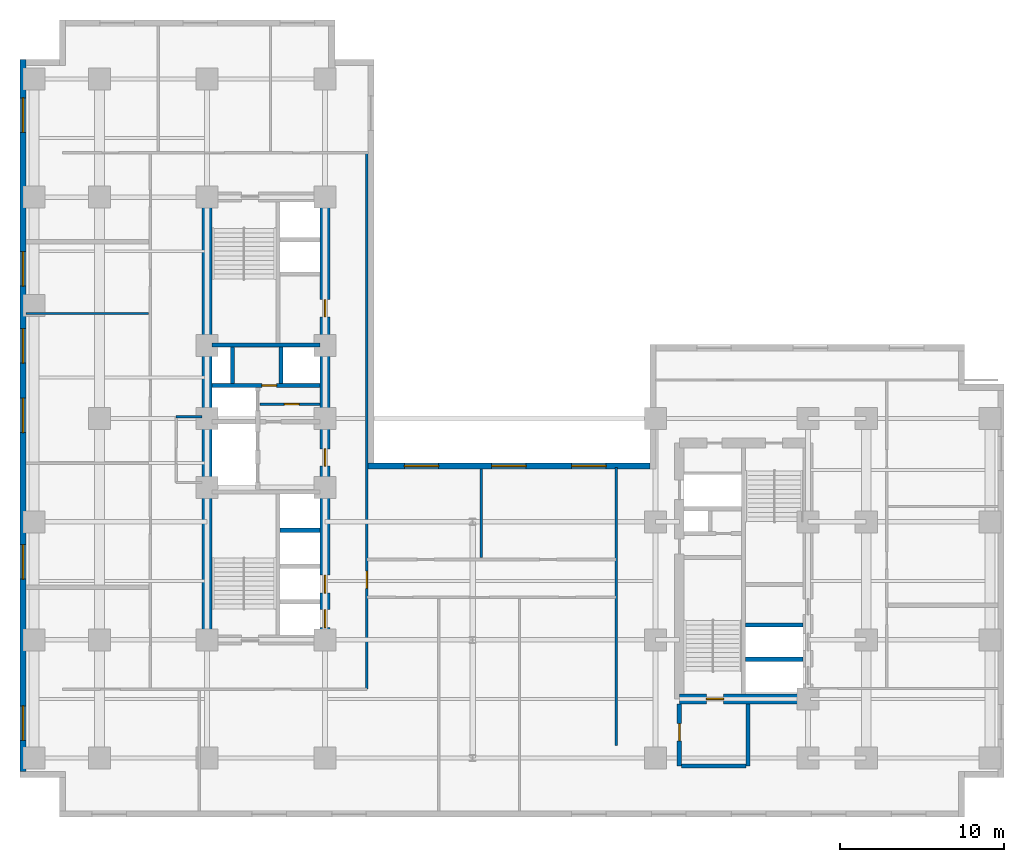
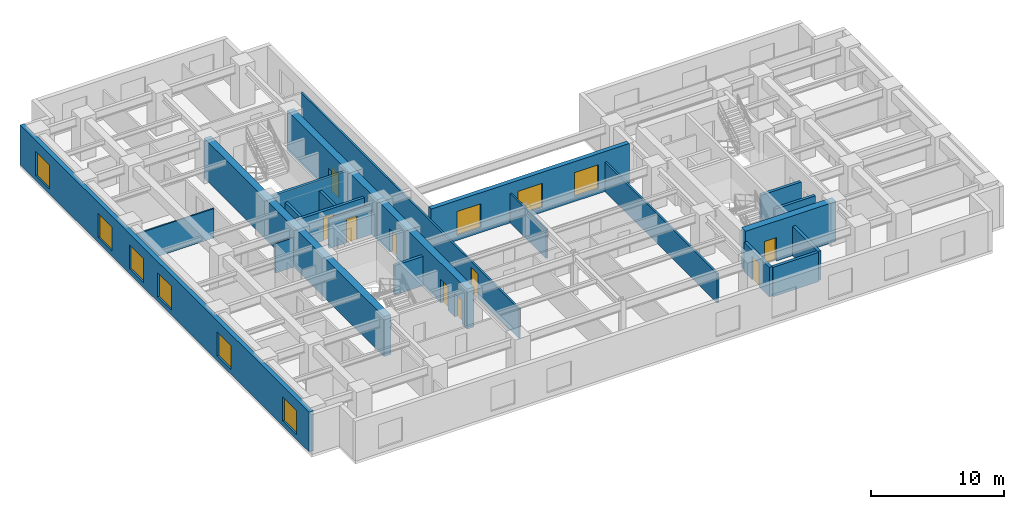
# One storey, part 4 of 9: 22 walls, 9 doors, 9 windows, 18 openings.
"""IFC4 building model written with IfcOpenShell, lengths in metres."""

import ifcopenshell
import ifcopenshell.guid

model = None  # the IFC model being written
_history = None  # IfcOwnerHistory: only IFC2X3 demands one
_inside = {}  # id of a spatial element -> (the spatial element, [elements in it])
_under = {}  # id of a project, library or spatial element -> (it, [spatial elements below it])
_declared = {}  # id of a project -> (the project, [libraries it declares])
_typed = {}  # id of a type object -> (the type object, [elements of that type])
_made_of = {}  # id of a material, layer set ... -> (it, [elements and type objects made of it])


def new_model(schema):
    """Start an empty IFC model of exactly this schema.

    Asked for "IFC4X3", IfcOpenShell would pick the latest addendum, in which some entities
    have other attributes; the version numbers below select the first issue.
    IFC2X3 requires an IfcOwnerHistory on every rooted entity: one is made here for all.
    """
    global model, _history
    if schema == "IFC4X3":
        model = ifcopenshell.file(schema_version=(4, 3, 0, 0))
    else:
        model = ifcopenshell.file(schema=schema)
    _inside.clear()
    _under.clear()
    _declared.clear()
    _typed.clear()
    _made_of.clear()
    _history = None
    if model.schema == "IFC2X3":
        org = make("IfcOrganization", Name="unknown")
        user = make(
            "IfcPersonAndOrganization",
            ThePerson=make("IfcPerson", FamilyName="unknown"),
            TheOrganization=org,
        )
        app = make(
            "IfcApplication",
            ApplicationDeveloper=org,
            Version="unknown",
            ApplicationFullName="unknown",
            ApplicationIdentifier="unknown",
        )
        _history = make(
            "IfcOwnerHistory",
            OwningUser=user,
            OwningApplication=app,
            ChangeAction="ADDED",
            CreationDate=0,
        )
    return model


def make(cls, **values):
    """One entity of the class cls with the attributes given. An attribute that is None is left unset."""
    return model.create_entity(
        cls, **{name: value for name, value in values.items() if value is not None}
    )


def entity(cls, *values):
    """Any entity or typed value of the class cls, its attributes in the order of the schema. None: left unset."""
    e = model.create_entity(cls)
    for i, value in enumerate(values):
        if value is not None:
            e[i] = value
    return e


def rooted(cls, **values):
    """An entity with a GlobalId (a new one), such as an element, a storey or a relation."""
    return make(cls, GlobalId=ifcopenshell.guid.new(), OwnerHistory=_history, **values)


def si_unit(unit_type, name, prefix=None):
    """IfcSIUnit, for example si_unit("LENGTHUNIT", "METRE", prefix="MILLI")."""
    return make("IfcSIUnit", UnitType=unit_type, Prefix=prefix, Name=name)


def converted_unit(unit_type, name, factor, base, dimensions=None, offset=None):
    """IfcConversionBasedUnit, such as the inch: factor (a typed value) times the base unit."""
    return make(
        "IfcConversionBasedUnit"
        if offset is None
        else "IfcConversionBasedUnitWithOffset",
        ConversionOffset=offset,
        Dimensions=None
        if dimensions is None
        else entity("IfcDimensionalExponents", *dimensions),
        UnitType=unit_type,
        Name=name,
        ConversionFactor=make(
            "IfcMeasureWithUnit", ValueComponent=factor, UnitComponent=base
        ),
    )


def assignment(units):
    """IfcUnitAssignment: the units of a project."""
    return None if units is None else make("IfcUnitAssignment", Units=units)


def point(xyz):
    """IfcCartesianPoint."""
    return None if xyz is None else make("IfcCartesianPoint", Coordinates=xyz)


def direction(xyz):
    """IfcDirection."""
    return None if xyz is None else make("IfcDirection", DirectionRatios=xyz)


def frame(location, z_axis=None, x_axis=None):
    """IfcAxis2Placement3D, a coordinate frame: its origin and axes. An axis left out is left unset."""
    return make(
        "IfcAxis2Placement3D",
        Location=point(location),
        Axis=direction(z_axis),
        RefDirection=direction(x_axis),
    )


def frame_2d(location, x_axis=None):
    """IfcAxis2Placement2D, a coordinate frame in the plane: its origin and x axis."""
    return make(
        "IfcAxis2Placement2D", Location=point(location), RefDirection=direction(x_axis)
    )


def origin_with_axes():
    """The frame at (0, 0, 0) with the z axis (0, 0, 1) and the x axis (1, 0, 0) written out."""
    return frame((0.0, 0.0, 0.0), z_axis=(0.0, 0.0, 1.0), x_axis=(1.0, 0.0, 0.0))


def origin_2d_with_axis():
    """The frame at (0, 0) in the plane with the x axis (1, 0) written out."""
    return frame_2d((0.0, 0.0), x_axis=(1.0, 0.0))


def place(relative_to, where):
    """IfcLocalPlacement: puts the frame where relative to a parent placement (None: the world)."""
    return make(
        "IfcLocalPlacement", PlacementRelTo=relative_to, RelativePlacement=where
    )


def context(
    kind, dimensions, precision=None, world=None, true_north=None, identifier=None
):
    """IfcGeometricRepresentationContext, for example the 3D "Model" context."""
    return make(
        "IfcGeometricRepresentationContext",
        ContextIdentifier=identifier,
        ContextType=kind,
        CoordinateSpaceDimension=dimensions,
        Precision=precision,
        WorldCoordinateSystem=world,
        TrueNorth=true_north,
    )


def subcontext(parent, identifier, kind, view, scale=None):
    """IfcGeometricRepresentationSubContext, for example "Body" below "Model"."""
    return make(
        "IfcGeometricRepresentationSubContext",
        ContextIdentifier=identifier,
        ContextType=kind,
        ParentContext=parent,
        TargetScale=scale,
        TargetView=view,
    )


def project(units=None, contexts=None):
    """IfcProject with its units and contexts."""
    return rooted(
        "IfcProject",
        Name="project",
        RepresentationContexts=contexts,
        UnitsInContext=assignment(units),
    )


def spatial(cls, under=None, at=None, **own):
    """A site, building, storey or space (cls), placed at a placement, below another one or the project."""
    s = rooted(cls, ObjectPlacement=at, **own)
    if under is not None:
        _under.setdefault(under.id(), (under, []))[1].append(s)
    return s


def polyline(points):
    """IfcPolyline through the points."""
    return make("IfcPolyline", Points=[point(p) for p in points])


def profile(cls, at=None, kind="AREA", **sizes):
    """A parametric profile (cls). Its sizes go by their IFC names, for example OverallWidth=200.0."""
    return make(cls, ProfileType=kind, Position=at, **sizes)


def rectangle(**sizes):
    """IfcRectangleProfileDef."""
    return profile("IfcRectangleProfileDef", **sizes)


def outline(outer, holes=None, kind="AREA"):
    """IfcArbitraryClosedProfileDef: a profile drawn as a closed curve; with holes, ...WithVoids."""
    if holes is None:
        return make("IfcArbitraryClosedProfileDef", ProfileType=kind, OuterCurve=outer)
    return make(
        "IfcArbitraryProfileDefWithVoids",
        ProfileType=kind,
        OuterCurve=outer,
        InnerCurves=holes,
    )


def extrude(swept, where, along, depth):
    """IfcExtrudedAreaSolid: the profile swept, set in the frame where, extruded along a direction by depth."""
    return make(
        "IfcExtrudedAreaSolid",
        SweptArea=swept,
        Position=where,
        ExtrudedDirection=direction(along),
        Depth=depth,
    )


def shape(context_of_items, identifier, shape_type, items):
    """IfcShapeRepresentation: the items that make up one representation, for example the "Body"."""
    return make(
        "IfcShapeRepresentation",
        ContextOfItems=context_of_items,
        RepresentationIdentifier=identifier,
        RepresentationType=shape_type,
        Items=items,
    )


def material(Name=None, Category=None):
    """IfcMaterial."""
    return make("IfcMaterial", Name=Name, Category=Category)


def layer(
    of_material, thickness, ventilated=None, Name=None, Category=None, Priority=None
):
    """IfcMaterialLayer: one layer of a wall or slab, of a material (None: an air gap)."""
    return make(
        "IfcMaterialLayer",
        Material=of_material,
        LayerThickness=thickness,
        IsVentilated=ventilated,
        Name=Name,
        Category=Category,
        Priority=Priority,
    )


def layer_set(layers, Name=None):
    """IfcMaterialLayerSet."""
    return make("IfcMaterialLayerSet", MaterialLayers=layers, LayerSetName=Name)


def made_of(thing, what):
    """Note that an element or type object is made of a material, layer set ...; save() writes the relation."""
    if what is not None:
        _made_of.setdefault(what.id(), (what, []))[1].append(thing)
    return thing


def type_object(cls, material=None, **own):
    """A type object (cls), such as IfcWallType, which elements share."""
    return made_of(rooted(cls, **own), material)


def element(
    cls,
    number,
    at=None,
    inside=None,
    cuts=None,
    type_object=None,
    material=None,
    context=None,
    identifier="Body",
    shape_type=None,
    held_by="IfcProductDefinitionShape",
    body=None,
    shapes=None,
    **own,
):
    """One element of the class cls, such as IfcWall. Its Tag is "e" and its number.

    at: its placement. inside: the storey or other place that contains it. cuts: it is an
    opening in that element (IfcRelVoidsElement). A single representation is given by context,
    identifier, shape_type and body (its items); several are given by shapes. held_by: the class
    of the entity that holds the representations. save() writes the other relations.
    """
    e = rooted(cls, Tag="e%d" % number, ObjectPlacement=at, **own)
    if body is not None:
        shapes = [shape(context, identifier, shape_type, body)]
    if shapes is not None:
        e.Representation = make(held_by, Representations=shapes)
    if inside is not None:
        _inside.setdefault(inside.id(), (inside, []))[1].append(e)
    if cuts is not None:
        rooted(
            "IfcRelVoidsElement", RelatingBuildingElement=cuts, RelatedOpeningElement=e
        )
    if type_object is not None:
        _typed.setdefault(type_object.id(), (type_object, []))[1].append(e)
    return made_of(e, material)


def fill(opening, filler):
    """IfcRelFillsElement: the door or window that sits in an opening."""
    return rooted(
        "IfcRelFillsElement",
        RelatingOpeningElement=opening,
        RelatedBuildingElement=filler,
    )


def aggregate(whole, parts):
    """IfcRelAggregates: a whole, such as a stair, and the parts it consists of."""
    return rooted("IfcRelAggregates", RelatingObject=whole, RelatedObjects=parts)


def save(model, path):
    """Write the relations noted so far, then the file.

    IfcRelAggregates (storeys below a building ...), IfcRelContainedInSpatialStructure (elements
    in a storey), IfcRelDefinesByType, IfcRelAssociatesMaterial and IfcRelDeclares: one each for
    every whole, place, type object, material and project.
    """
    for whole, parts in _under.values():
        aggregate(whole, parts)
    for where, things in _inside.values():
        rooted(
            "IfcRelContainedInSpatialStructure",
            RelatedElements=things,
            RelatingStructure=where,
        )
    for kind, things in _typed.values():
        rooted("IfcRelDefinesByType", RelatedObjects=things, RelatingType=kind)
    for what, things in _made_of.values():
        rooted("IfcRelAssociatesMaterial", RelatedObjects=things, RelatingMaterial=what)
    for by, libraries in _declared.values():
        rooted("IfcRelDeclares", RelatingContext=by, RelatedDefinitions=libraries)
    model.write(path)


model = new_model("IFC4")

# Units and contexts
model_context = context("Model", 3, precision=1e-05, world=origin_with_axes(), true_north=direction((0.0, 1.0)))
body_context = subcontext(model_context, "Body", "Model", "MODEL_VIEW")
ifc_project = project(units=[si_unit("LENGTHUNIT", "METRE"), si_unit("AREAUNIT", "SQUARE_METRE"), si_unit("VOLUMEUNIT", "CUBIC_METRE"), converted_unit("PLANEANGLEUNIT", "DEGREE", entity("IfcPlaneAngleMeasure", 0.017453292519943295), si_unit("PLANEANGLEUNIT", "RADIAN"), dimensions=[0, 0, 0, 0, 0, 0, 0]), si_unit("MASSUNIT", "GRAM", prefix="KILO"), si_unit("THERMODYNAMICTEMPERATUREUNIT", "KELVIN")], contexts=[model_context])

# Site, building, storey
site_placement = place(None, origin_with_axes())
site = spatial("IfcSite", under=ifc_project, at=site_placement, CompositionType="ELEMENT")
building_placement = place(site_placement, origin_with_axes())
building = spatial("IfcBuilding", under=site, at=building_placement, Name="Varnlund Millrace Tower", CompositionType="ELEMENT")
storey_placement = place(building_placement, frame((0.0, 0.0, 56.1), z_axis=(0.0, 0.0, 1.0), x_axis=(1.0, 0.0, 0.0)))
storey = spatial("IfcBuildingStorey", under=building, at=storey_placement, Name="L13", CompositionType="ELEMENT", Elevation=56.1)

# Wall
ifc_material_1 = material(Name="Concrete C80/95", Category="concrete")
ifc_layer_1 = layer(ifc_material_1, 0.6, Name="Concrete C80/95")
ifc_layer_set_1 = layer_set([ifc_layer_1], Name="Concrete C80/95")
wall_type_1 = type_object("IfcWallType", Name="Type-CoreWall-Shear-600-C80", PredefinedType="SHEAR", material=ifc_layer_set_1)
wall_1_placement = place(storey_placement, frame((11.4, 10.8, 0.0), z_axis=(0.0, 0.0, 1.0), x_axis=(0.0, 1.0, 0.0)))
element("IfcWall", 1, at=wall_1_placement, inside=storey, type_object=wall_type_1, Name="Type-CoreWall-Shear-600-C80", PredefinedType="SHEAR", context=body_context, shape_type="SweptSolid", body=[
    extrude(outline(polyline([(0.0, -0.3), (27.0, -0.3), (27.0, 0.3), (0.0, 0.3), (0.0, -0.3)])), origin_with_axes(), (0.0, 0.0, 1.0), 3.66),
])

# Wall, openings, doors
wall_2_placement = place(storey_placement, frame((18.6, 10.8, 0.0), z_axis=(0.0, 0.0, 1.0), x_axis=(0.0, 1.0, 0.0)))
wall_2 = element("IfcWall", 2, at=wall_2_placement, inside=storey, type_object=wall_type_1, Name="Type-CoreWall-Shear-600-C80", PredefinedType="SHEAR", context=body_context, shape_type="SweptSolid", body=[
    extrude(outline(polyline([(0.0, -0.3), (13.5, -0.3), (13.5, 0.3), (0.0, 0.3), (0.0, -0.3)])), origin_with_axes(), (0.0, 0.0, 1.0), 3.66),
])
opening_1_placement = place(wall_2_placement, frame((1.3, 0.0, 0.0), z_axis=(0.0, 0.0, 1.0), x_axis=(1.0, 0.0, 0.0)))
opening_1 = element("IfcOpeningElement", 3, at=opening_1_placement, cuts=wall_2, Name="Opening L13:LD-ELV-L1", PredefinedType="OPENING", context=body_context, shape_type="SweptSolid", body=[
    extrude(rectangle(XDim=1.1, YDim=0.62, at=origin_2d_with_axis()), origin_with_axes(), (0.0, 0.0, 1.0), 2.15),
])
opening_2_placement = place(wall_2_placement, frame((3.4, 0.0, 0.0), z_axis=(0.0, 0.0, 1.0), x_axis=(1.0, 0.0, 0.0)))
opening_2 = element("IfcOpeningElement", 4, at=opening_2_placement, cuts=wall_2, Name="Opening L13:LD-ELV-L2", PredefinedType="OPENING", context=body_context, shape_type="SweptSolid", body=[
    extrude(rectangle(XDim=1.1, YDim=0.62, at=origin_2d_with_axis()), origin_with_axes(), (0.0, 0.0, 1.0), 2.15),
])
opening_3_placement = place(wall_2_placement, frame((11.125, 0.0, 0.0), z_axis=(0.0, 0.0, 1.0), x_axis=(1.0, 0.0, 0.0)))
opening_3 = element("IfcOpeningElement", 5, at=opening_3_placement, cuts=wall_2, Name="Opening L13:DR-FFLOB-A", PredefinedType="OPENING", context=body_context, shape_type="SweptSolid", body=[
    extrude(rectangle(XDim=1.05, YDim=0.62, at=origin_2d_with_axis()), origin_with_axes(), (0.0, 0.0, 1.0), 2.15),
])
ifc_material_2 = material(Name="Smoke-barrier hollow steel fire door", Category="steel")
door_type_1 = type_object("IfcDoorType", Name="Type-FireDoor-Lobby-1050X2150", OperationType="NOTDEFINED", PredefinedType="DOOR", material=ifc_material_2)
door_1_placement = place(wall_2_placement, frame((11.125, 0.0, 0.0), z_axis=(0.0, 0.0, 1.0), x_axis=(1.0, 0.0, 0.0)))
door_1 = element("IfcDoor", 6, at=door_1_placement, inside=storey, type_object=door_type_1, Name="Type-FireDoor-Lobby-1050X2150", OperationType="SINGLE_SWING_LEFT", OverallHeight=2.15, OverallWidth=1.05, PredefinedType="DOOR", context=body_context, shape_type="SweptSolid", body=[
    extrude(rectangle(XDim=1.05, YDim=0.09, at=origin_2d_with_axis()), origin_with_axes(), (0.0, 0.0, 1.0), 2.15),
])
fill(opening_3, door_1)
ifc_material_3 = material(Name="Stainless and architectural bronze sliding landing door")
door_type_2 = type_object("IfcDoorType", Name="Type-LiftLandingDoor-1100X2150", OperationType="NOTDEFINED", PredefinedType="DOOR", material=ifc_material_3)
door_2_placement = place(wall_2_placement, frame((1.3, 0.0, 0.0), z_axis=(0.0, 0.0, 1.0), x_axis=(1.0, 0.0, 0.0)))
door_2 = element("IfcDoor", 7, at=door_2_placement, inside=storey, type_object=door_type_2, Name="Type-LiftLandingDoor-1100X2150", OperationType="SLIDING_TO_LEFT", OverallHeight=2.15, OverallWidth=1.1, PredefinedType="DOOR", context=body_context, shape_type="SweptSolid", body=[
    extrude(rectangle(XDim=1.1, YDim=0.09, at=origin_2d_with_axis()), origin_with_axes(), (0.0, 0.0, 1.0), 2.15),
])
fill(opening_1, door_2)
door_3_placement = place(wall_2_placement, frame((3.4, 0.0, 0.0), z_axis=(0.0, 0.0, 1.0), x_axis=(1.0, 0.0, 0.0)))
door_3 = element("IfcDoor", 8, at=door_3_placement, inside=storey, type_object=door_type_2, Name="Type-LiftLandingDoor-1100X2150", OperationType="SLIDING_TO_RIGHT", OverallHeight=2.15, OverallWidth=1.1, PredefinedType="DOOR", context=body_context, shape_type="SweptSolid", body=[
    extrude(rectangle(XDim=1.1, YDim=0.09, at=origin_2d_with_axis()), origin_with_axes(), (0.0, 0.0, 1.0), 2.15),
])
fill(opening_2, door_3)

# Wall, opening, door
wall_3_placement = place(storey_placement, frame((18.6, 24.3, 0.0), z_axis=(0.0, 0.0, 1.0), x_axis=(0.0, 1.0, 0.0)))
wall_3 = element("IfcWall", 9, at=wall_3_placement, inside=storey, type_object=wall_type_1, Name="Type-CoreWall-Shear-600-C80", PredefinedType="SHEAR", context=body_context, shape_type="SweptSolid", body=[
    extrude(outline(polyline([(0.0, -0.3), (13.5, -0.3), (13.5, 0.3), (0.0, 0.3), (0.0, -0.3)])), origin_with_axes(), (0.0, 0.0, 1.0), 3.66),
])
opening_4_placement = place(wall_3_placement, frame((6.725, 0.0, 0.0), z_axis=(0.0, 0.0, 1.0), x_axis=(1.0, 0.0, 0.0)))
opening_4 = element("IfcOpeningElement", 10, at=opening_4_placement, cuts=wall_3, Name="Opening L13:DR-CA-WC1", PredefinedType="OPENING", context=body_context, shape_type="SweptSolid", body=[
    extrude(rectangle(XDim=1.05, YDim=0.62, at=origin_2d_with_axis()), origin_with_axes(), (0.0, 0.0, 1.0), 2.15),
])
door_4_placement = place(wall_3_placement, frame((6.725, 0.0, 0.0), z_axis=(0.0, 0.0, 1.0), x_axis=(1.0, 0.0, 0.0)))
door_4 = element("IfcDoor", 11, at=door_4_placement, inside=storey, type_object=door_type_1, Name="Type-FireDoor-Lobby-1050X2150", OperationType="SINGLE_SWING_LEFT", OverallHeight=2.15, OverallWidth=1.05, PredefinedType="DOOR", context=body_context, shape_type="SweptSolid", body=[
    extrude(rectangle(XDim=1.05, YDim=0.09, at=origin_2d_with_axis()), origin_with_axes(), (0.0, 0.0, 1.0), 2.15),
])
fill(opening_4, door_4)

wall_4_placement = place(storey_placement, frame((40.2, 7.2, 0.0), z_axis=(0.0, 0.0, 1.0), x_axis=(1.0, 0.0, 0.0)))
wall_4 = element("IfcWall", 12, at=wall_4_placement, inside=storey, type_object=wall_type_1, Name="Type-CoreWall-Shear-600-C80", PredefinedType="SHEAR", context=body_context, shape_type="SweptSolid", body=[
    extrude(outline(polyline([(0.0, -0.3), (7.85, -0.3), (7.85, 0.3), (0.0, 0.3), (0.0, -0.3)])), origin_with_axes(), (0.0, 0.0, 1.0), 3.66),
])
opening_5_placement = place(wall_4_placement, frame((2.175, 0.0, 0.0), z_axis=(0.0, 0.0, 1.0), x_axis=(1.0, 0.0, 0.0)))
opening_5 = element("IfcOpeningElement", 13, at=opening_5_placement, cuts=wall_4, Name="Opening L13:DR-STB1", PredefinedType="OPENING", context=body_context, shape_type="SweptSolid", body=[
    extrude(rectangle(XDim=1.05, YDim=0.62, at=origin_2d_with_axis()), origin_with_axes(), (0.0, 0.0, 1.0), 2.15),
])
ifc_material_4 = material(Name="Fire-rated hollow steel door", Category="steel")
door_type_3 = type_object("IfcDoorType", Name="Type-FireDoor-Stair-1050X2150", OperationType="NOTDEFINED", PredefinedType="DOOR", material=ifc_material_4)
door_5_placement = place(wall_4_placement, frame((2.175, 0.0, 0.0), z_axis=(0.0, 0.0, 1.0), x_axis=(1.0, 0.0, 0.0)))
door_5 = element("IfcDoor", 14, at=door_5_placement, inside=storey, type_object=door_type_3, Name="Type-FireDoor-Stair-1050X2150", OperationType="SINGLE_SWING_LEFT", OverallHeight=2.15, OverallWidth=1.05, PredefinedType="DOOR", context=body_context, shape_type="SweptSolid", body=[
    extrude(rectangle(XDim=1.05, YDim=0.09, at=origin_2d_with_axis()), origin_with_axes(), (0.0, 0.0, 1.0), 2.15),
])
fill(opening_5, door_5)

# Wall, openings, windows
ifc_material_5 = material(Name="Precast concrete C50/60", Category="concrete")
ifc_layer_2 = layer(ifc_material_5, 0.38, Name="Precast concrete C50/60")
ifc_layer_set_2 = layer_set([ifc_layer_2], Name="Precast concrete C50/60")
wall_type_2 = type_object("IfcWallType", Name="Type-ExtWall-Precast-Tube-380", PredefinedType="SOLIDWALL", material=ifc_layer_set_2)
wall_5_placement = place(storey_placement, frame((0.19, 2.78, 0.0), z_axis=(0.0, 0.0, 1.0), x_axis=(0.0, 1.0, 0.0)))
wall_5 = element("IfcWall", 15, at=wall_5_placement, inside=storey, type_object=wall_type_2, Name="Type-ExtWall-Precast-Tube-380", PredefinedType="SOLIDWALL", context=body_context, shape_type="SweptSolid", body=[
    extrude(outline(polyline([(0.0, -0.19), (43.42, -0.19), (43.42, 0.19), (0.0, 0.19), (0.0, -0.19)])), origin_with_axes(), (0.0, 0.0, 1.0), 3.66),
])
opening_6_placement = place(wall_5_placement, frame((2.946, 0.0, 0.45), z_axis=(0.0, 0.0, 1.0), x_axis=(1.0, 0.0, 0.0)))
opening_6 = element("IfcOpeningElement", 16, at=opening_6_placement, cuts=wall_5, Name="Opening L13:WN-14", PredefinedType="OPENING", context=body_context, shape_type="SweptSolid", body=[
    extrude(rectangle(XDim=2.1, YDim=0.4, at=origin_2d_with_axis()), origin_with_axes(), (0.0, 0.0, 1.0), 2.2),
])
opening_7_placement = place(wall_5_placement, frame((12.778, 0.0, 0.45), z_axis=(0.0, 0.0, 1.0), x_axis=(1.0, 0.0, 0.0)))
opening_7 = element("IfcOpeningElement", 17, at=opening_7_placement, cuts=wall_5, Name="Opening L13:WN-15", PredefinedType="OPENING", context=body_context, shape_type="SweptSolid", body=[
    extrude(rectangle(XDim=2.1, YDim=0.4, at=origin_2d_with_axis()), origin_with_axes(), (0.0, 0.0, 1.0), 2.2),
])
opening_8_placement = place(wall_5_placement, frame((21.71, 0.0, 0.45), z_axis=(0.0, 0.0, 1.0), x_axis=(1.0, 0.0, 0.0)))
opening_8 = element("IfcOpeningElement", 18, at=opening_8_placement, cuts=wall_5, Name="Opening L13:WN-16", PredefinedType="OPENING", context=body_context, shape_type="SweptSolid", body=[
    extrude(rectangle(XDim=2.1, YDim=0.4, at=origin_2d_with_axis()), origin_with_axes(), (0.0, 0.0, 1.0), 2.2),
])
opening_9_placement = place(wall_5_placement, frame((25.951, 0.0, 0.45), z_axis=(0.0, 0.0, 1.0), x_axis=(1.0, 0.0, 0.0)))
opening_9 = element("IfcOpeningElement", 19, at=opening_9_placement, cuts=wall_5, Name="Opening L13:WN-17", PredefinedType="OPENING", context=body_context, shape_type="SweptSolid", body=[
    extrude(rectangle(XDim=2.1, YDim=0.4, at=origin_2d_with_axis()), origin_with_axes(), (0.0, 0.0, 1.0), 2.2),
])
opening_10_placement = place(wall_5_placement, frame((30.642, 0.0, 0.45), z_axis=(0.0, 0.0, 1.0), x_axis=(1.0, 0.0, 0.0)))
opening_10 = element("IfcOpeningElement", 20, at=opening_10_placement, cuts=wall_5, Name="Opening L13:WN-18", PredefinedType="OPENING", context=body_context, shape_type="SweptSolid", body=[
    extrude(rectangle(XDim=2.1, YDim=0.4, at=origin_2d_with_axis()), origin_with_axes(), (0.0, 0.0, 1.0), 2.2),
])
opening_11_placement = place(wall_5_placement, frame((40.024, 0.0, 0.45), z_axis=(0.0, 0.0, 1.0), x_axis=(1.0, 0.0, 0.0)))
opening_11 = element("IfcOpeningElement", 21, at=opening_11_placement, cuts=wall_5, Name="Opening L13:WN-19", PredefinedType="OPENING", context=body_context, shape_type="SweptSolid", body=[
    extrude(rectangle(XDim=2.1, YDim=0.4, at=origin_2d_with_axis()), origin_with_axes(), (0.0, 0.0, 1.0), 2.2),
])
ifc_material_6 = material(Name="Argon low-e triple glazing in thermally broken bronze frame", Category="glass")
window_type = type_object("IfcWindowType", Name="Type-Window-Punched-2100X2200", PartitioningType="SINGLE_PANEL", PredefinedType="WINDOW", material=ifc_material_6)
window_1_placement = place(wall_5_placement, frame((2.946, 0.0, 0.45), z_axis=(0.0, 0.0, 1.0), x_axis=(1.0, 0.0, 0.0)))
window_1 = element("IfcWindow", 22, at=window_1_placement, inside=storey, type_object=window_type, Name="Type-Window-Punched-2100X2200", OverallHeight=2.2, OverallWidth=2.1, PredefinedType="WINDOW", context=body_context, shape_type="SweptSolid", body=[
    extrude(rectangle(XDim=2.1, YDim=0.09, at=origin_2d_with_axis()), origin_with_axes(), (0.0, 0.0, 1.0), 2.2),
])
fill(opening_6, window_1)
window_2_placement = place(wall_5_placement, frame((12.778, 0.0, 0.45), z_axis=(0.0, 0.0, 1.0), x_axis=(1.0, 0.0, 0.0)))
window_2 = element("IfcWindow", 23, at=window_2_placement, inside=storey, type_object=window_type, Name="Type-Window-Punched-2100X2200", OverallHeight=2.2, OverallWidth=2.1, PredefinedType="WINDOW", context=body_context, shape_type="SweptSolid", body=[
    extrude(rectangle(XDim=2.1, YDim=0.09, at=origin_2d_with_axis()), origin_with_axes(), (0.0, 0.0, 1.0), 2.2),
])
fill(opening_7, window_2)
window_3_placement = place(wall_5_placement, frame((21.71, 0.0, 0.45), z_axis=(0.0, 0.0, 1.0), x_axis=(1.0, 0.0, 0.0)))
window_3 = element("IfcWindow", 24, at=window_3_placement, inside=storey, type_object=window_type, Name="Type-Window-Punched-2100X2200", OverallHeight=2.2, OverallWidth=2.1, PredefinedType="WINDOW", context=body_context, shape_type="SweptSolid", body=[
    extrude(rectangle(XDim=2.1, YDim=0.09, at=origin_2d_with_axis()), origin_with_axes(), (0.0, 0.0, 1.0), 2.2),
])
fill(opening_8, window_3)
window_4_placement = place(wall_5_placement, frame((25.951, 0.0, 0.45), z_axis=(0.0, 0.0, 1.0), x_axis=(1.0, 0.0, 0.0)))
window_4 = element("IfcWindow", 25, at=window_4_placement, inside=storey, type_object=window_type, Name="Type-Window-Punched-2100X2200", OverallHeight=2.2, OverallWidth=2.1, PredefinedType="WINDOW", context=body_context, shape_type="SweptSolid", body=[
    extrude(rectangle(XDim=2.1, YDim=0.09, at=origin_2d_with_axis()), origin_with_axes(), (0.0, 0.0, 1.0), 2.2),
])
fill(opening_9, window_4)
window_5_placement = place(wall_5_placement, frame((30.642, 0.0, 0.45), z_axis=(0.0, 0.0, 1.0), x_axis=(1.0, 0.0, 0.0)))
window_5 = element("IfcWindow", 26, at=window_5_placement, inside=storey, type_object=window_type, Name="Type-Window-Punched-2100X2200", OverallHeight=2.2, OverallWidth=2.1, PredefinedType="WINDOW", context=body_context, shape_type="SweptSolid", body=[
    extrude(rectangle(XDim=2.1, YDim=0.09, at=origin_2d_with_axis()), origin_with_axes(), (0.0, 0.0, 1.0), 2.2),
])
fill(opening_10, window_5)
window_6_placement = place(wall_5_placement, frame((40.024, 0.0, 0.45), z_axis=(0.0, 0.0, 1.0), x_axis=(1.0, 0.0, 0.0)))
window_6 = element("IfcWindow", 27, at=window_6_placement, inside=storey, type_object=window_type, Name="Type-Window-Punched-2100X2200", OverallHeight=2.2, OverallWidth=2.1, PredefinedType="WINDOW", context=body_context, shape_type="SweptSolid", body=[
    extrude(rectangle(XDim=2.1, YDim=0.09, at=origin_2d_with_axis()), origin_with_axes(), (0.0, 0.0, 1.0), 2.2),
])
fill(opening_11, window_6)

wall_6_placement = place(storey_placement, frame((21.22, 21.41, 0.0), z_axis=(0.0, 0.0, 1.0), x_axis=(1.0, 0.0, 0.0)))
wall_6 = element("IfcWall", 28, at=wall_6_placement, inside=storey, type_object=wall_type_2, Name="Type-ExtWall-Precast-Tube-380", PredefinedType="SOLIDWALL", context=body_context, shape_type="SweptSolid", body=[
    extrude(outline(polyline([(0.0, -0.19), (17.18, -0.19), (17.18, 0.19), (0.0, 0.19), (0.0, -0.19)])), origin_with_axes(), (0.0, 0.0, 1.0), 3.66),
])
opening_12_placement = place(wall_6_placement, frame((3.263, 0.0, 0.45), z_axis=(0.0, 0.0, 1.0), x_axis=(1.0, 0.0, 0.0)))
opening_12 = element("IfcOpeningElement", 29, at=opening_12_placement, cuts=wall_6, Name="Opening L13:WN-24", PredefinedType="OPENING", context=body_context, shape_type="SweptSolid", body=[
    extrude(rectangle(XDim=2.1, YDim=0.4, at=origin_2d_with_axis()), origin_with_axes(), (0.0, 0.0, 1.0), 2.2),
])
opening_13_placement = place(wall_6_placement, frame((8.59, 0.0, 0.45), z_axis=(0.0, 0.0, 1.0), x_axis=(1.0, 0.0, 0.0)))
opening_13 = element("IfcOpeningElement", 30, at=opening_13_placement, cuts=wall_6, Name="Opening L13:WN-25", PredefinedType="OPENING", context=body_context, shape_type="SweptSolid", body=[
    extrude(rectangle(XDim=2.1, YDim=0.4, at=origin_2d_with_axis()), origin_with_axes(), (0.0, 0.0, 1.0), 2.2),
])
opening_14_placement = place(wall_6_placement, frame((13.467, 0.0, 0.45), z_axis=(0.0, 0.0, 1.0), x_axis=(1.0, 0.0, 0.0)))
opening_14 = element("IfcOpeningElement", 31, at=opening_14_placement, cuts=wall_6, Name="Opening L13:WN-26", PredefinedType="OPENING", context=body_context, shape_type="SweptSolid", body=[
    extrude(rectangle(XDim=2.1, YDim=0.4, at=origin_2d_with_axis()), origin_with_axes(), (0.0, 0.0, 1.0), 2.2),
])
window_7_placement = place(wall_6_placement, frame((3.263, 0.0, 0.45), z_axis=(0.0, 0.0, 1.0), x_axis=(1.0, 0.0, 0.0)))
window_7 = element("IfcWindow", 32, at=window_7_placement, inside=storey, type_object=window_type, Name="Type-Window-Punched-2100X2200", OverallHeight=2.2, OverallWidth=2.1, PredefinedType="WINDOW", context=body_context, shape_type="SweptSolid", body=[
    extrude(rectangle(XDim=2.1, YDim=0.09, at=origin_2d_with_axis()), origin_with_axes(), (0.0, 0.0, 1.0), 2.2),
])
fill(opening_12, window_7)
window_8_placement = place(wall_6_placement, frame((8.59, 0.0, 0.45), z_axis=(0.0, 0.0, 1.0), x_axis=(1.0, 0.0, 0.0)))
window_8 = element("IfcWindow", 33, at=window_8_placement, inside=storey, type_object=window_type, Name="Type-Window-Punched-2100X2200", OverallHeight=2.2, OverallWidth=2.1, PredefinedType="WINDOW", context=body_context, shape_type="SweptSolid", body=[
    extrude(rectangle(XDim=2.1, YDim=0.09, at=origin_2d_with_axis()), origin_with_axes(), (0.0, 0.0, 1.0), 2.2),
])
fill(opening_13, window_8)
window_9_placement = place(wall_6_placement, frame((13.467, 0.0, 0.45), z_axis=(0.0, 0.0, 1.0), x_axis=(1.0, 0.0, 0.0)))
window_9 = element("IfcWindow", 34, at=window_9_placement, inside=storey, type_object=window_type, Name="Type-Window-Punched-2100X2200", OverallHeight=2.2, OverallWidth=2.1, PredefinedType="WINDOW", context=body_context, shape_type="SweptSolid", body=[
    extrude(rectangle(XDim=2.1, YDim=0.09, at=origin_2d_with_axis()), origin_with_axes(), (0.0, 0.0, 1.0), 2.2),
])
fill(opening_14, window_9)

# Wall, opening, door
ifc_material_7 = material(Name="Fire-rated gypsum board on cold-formed steel framing", Category="steel")
ifc_layer_3 = layer(ifc_material_7, 0.16, Name="Fire-rated gypsum board on cold-formed steel framing")
ifc_layer_set_3 = layer_set([ifc_layer_3], Name="Fire-rated gypsum board on cold-formed steel framing")
wall_type_3 = type_object("IfcWallType", Name="Type-Partition-Corridor-160", PredefinedType="PARTITIONING", material=ifc_layer_set_3)
wall_7_placement = place(storey_placement, frame((14.62, 25.18, 0.0), z_axis=(0.0, 0.0, 1.0), x_axis=(1.0, 0.0, 0.0)))
wall_7 = element("IfcWall", 35, at=wall_7_placement, inside=storey, type_object=wall_type_3, Name="Type-Partition-Corridor-160", PredefinedType="PARTITIONING", context=body_context, shape_type="SweptSolid", body=[
    extrude(outline(polyline([(0.0, -0.08), (3.68, -0.08), (3.68, 0.08), (0.0, 0.08), (0.0, -0.08)])), origin_with_axes(), (0.0, 0.0, 1.0), 2.7),
])
opening_15_placement = place(wall_7_placement, frame((1.95, 0.0, 0.0), z_axis=(0.0, 0.0, 1.0), x_axis=(1.0, 0.0, 0.0)))
opening_15 = element("IfcOpeningElement", 36, at=opening_15_placement, cuts=wall_7, Name="Opening L13:DR-CA-SUB2", PredefinedType="OPENING", context=body_context, shape_type="SweptSolid", body=[
    extrude(rectangle(XDim=0.9, YDim=0.18, at=origin_2d_with_axis()), origin_with_axes(), (0.0, 0.0, 1.0), 2.15),
])
ifc_material_8 = material(Name="Painted steel riser and closet door", Category="steel")
door_type_4 = type_object("IfcDoorType", Name="Type-IntDoor-Closet-900X2150", OperationType="NOTDEFINED", PredefinedType="DOOR", material=ifc_material_8)
door_6_placement = place(wall_7_placement, frame((1.95, 0.0, 0.0), z_axis=(0.0, 0.0, 1.0), x_axis=(1.0, 0.0, 0.0)))
door_6 = element("IfcDoor", 37, at=door_6_placement, inside=storey, type_object=door_type_4, Name="Type-IntDoor-Closet-900X2150", OperationType="SINGLE_SWING_LEFT", OverallHeight=2.15, OverallWidth=0.9, PredefinedType="DOOR", context=body_context, shape_type="SweptSolid", body=[
    extrude(rectangle(XDim=0.9, YDim=0.09, at=origin_2d_with_axis()), origin_with_axes(), (0.0, 0.0, 1.0), 2.15),
])
fill(opening_15, door_6)

wall_8_placement = place(storey_placement, frame((21.15, 7.8, 0.0), z_axis=(0.0, 0.0, 1.0), x_axis=(0.0, 1.0, 0.0)))
wall_8 = element("IfcWall", 38, at=wall_8_placement, inside=storey, type_object=wall_type_3, Name="Type-Partition-Corridor-160", PredefinedType="PARTITIONING", context=body_context, shape_type="SweptSolid", body=[
    extrude(outline(polyline([(0.0, -0.08), (32.7, -0.08), (32.7, 0.08), (0.0, 0.08), (0.0, -0.08)])), origin_with_axes(), (0.0, 0.0, 1.0), 2.7),
])
opening_16_placement = place(wall_8_placement, frame((6.675, 0.0, 0.0), z_axis=(0.0, 0.0, 1.0), x_axis=(1.0, 0.0, 0.0)))
opening_16 = element("IfcOpeningElement", 39, at=opening_16_placement, cuts=wall_8, Name="Opening L13:DR-KN-W", PredefinedType="OPENING", context=body_context, shape_type="SweptSolid", body=[
    extrude(rectangle(XDim=1.05, YDim=0.18, at=origin_2d_with_axis()), origin_with_axes(), (0.0, 0.0, 1.0), 2.15),
])
door_7_placement = place(wall_8_placement, frame((6.675, 0.0, 0.0), z_axis=(0.0, 0.0, 1.0), x_axis=(1.0, 0.0, 0.0)))
door_7 = element("IfcDoor", 40, at=door_7_placement, inside=storey, type_object=door_type_1, Name="Type-FireDoor-Lobby-1050X2150", OperationType="SINGLE_SWING_LEFT", OverallHeight=2.15, OverallWidth=1.05, PredefinedType="DOOR", context=body_context, shape_type="SweptSolid", body=[
    extrude(rectangle(XDim=1.05, YDim=0.09, at=origin_2d_with_axis()), origin_with_axes(), (0.0, 0.0, 1.0), 2.15),
])
fill(opening_16, door_7)

# Walls
wall_9_placement = place(storey_placement, frame((36.35, 4.35, 0.0), z_axis=(0.0, 0.0, 1.0), x_axis=(0.0, 1.0, 0.0)))
element("IfcWall", 41, at=wall_9_placement, inside=storey, type_object=wall_type_3, Name="Type-Partition-Corridor-160", PredefinedType="PARTITIONING", context=body_context, shape_type="SweptSolid", body=[
    extrude(outline(polyline([(0.0, -0.08), (16.95, -0.08), (16.95, 0.08), (0.0, 0.08), (0.0, -0.08)])), origin_with_axes(), (0.0, 0.0, 1.0), 2.7),
])
ifc_material_9 = material(Name="Acoustic STC-50 gypsum board partition", Category="gypsum")
ifc_layer_4 = layer(ifc_material_9, 0.15, Name="Acoustic STC-50 gypsum board partition")
ifc_layer_set_4 = layer_set([ifc_layer_4], Name="Acoustic STC-50 gypsum board partition")
wall_type_4 = type_object("IfcWallType", Name="Type-Partition-Demising-150", PredefinedType="PARTITIONING", material=ifc_layer_set_4)
wall_10_placement = place(storey_placement, frame((28.135, 15.82, 0.0), z_axis=(0.0, 0.0, 1.0), x_axis=(0.0, 1.0, 0.0)))
element("IfcWall", 42, at=wall_10_placement, inside=storey, type_object=wall_type_4, Name="Type-Partition-Demising-150", PredefinedType="PARTITIONING", context=body_context, shape_type="SweptSolid", body=[
    extrude(outline(polyline([(0.0, -0.075), (5.405, -0.075), (5.405, 0.075), (0.0, 0.075), (0.0, -0.075)])), origin_with_axes(), (0.0, 0.0, 1.0), 2.7),
])
ifc_material_10 = material(Name="Gypsum board tenant partition", Category="gypsum")
ifc_layer_5 = layer(ifc_material_10, 0.125, Name="Gypsum board tenant partition")
ifc_layer_set_5 = layer_set([ifc_layer_5], Name="Gypsum board tenant partition")
wall_type_5 = type_object("IfcWallType", Name="Type-Partition-Tenant-125", PredefinedType="PARTITIONING", material=ifc_layer_set_5)
wall_11_placement = place(storey_placement, frame((0.375, 30.692, 0.0), z_axis=(0.0, 0.0, 1.0), x_axis=(1.0, 0.0, 0.0)))
element("IfcWall", 43, at=wall_11_placement, inside=storey, type_object=wall_type_5, Name="Type-Partition-Tenant-125", PredefinedType="PARTITIONING", context=body_context, shape_type="SweptSolid", body=[
    extrude(outline(polyline([(0.0, -0.0625), (7.455, -0.0625), (7.455, 0.0625), (0.0, 0.0625), (0.0, -0.0625)])), origin_with_axes(), (0.0, 0.0, 1.0), 2.7),
])
ifc_material_11 = material(Name="Moisture-resistant gypsum restroom partition", Category="gypsum")
ifc_layer_6 = layer(ifc_material_11, 0.14, Name="Moisture-resistant gypsum restroom partition")
ifc_layer_set_6 = layer_set([ifc_layer_6], Name="Moisture-resistant gypsum restroom partition")
wall_type_6 = type_object("IfcWallType", Name="Type-Partition-Wet-140", PredefinedType="PARTITIONING", material=ifc_layer_set_6)
wall_12_placement = place(storey_placement, frame((9.52, 24.4, 0.0), z_axis=(0.0, 0.0, 1.0), x_axis=(1.0, 0.0, 0.0)))
element("IfcWall", 44, at=wall_12_placement, inside=storey, type_object=wall_type_6, Name="Type-Partition-Wet-140", PredefinedType="PARTITIONING", context=body_context, shape_type="SweptSolid", body=[
    extrude(outline(polyline([(0.0, -0.07), (1.58, -0.07), (1.58, 0.07), (0.0, 0.07), (0.0, -0.07)])), origin_with_axes(), (0.0, 0.0, 1.0), 2.7),
])

# Wall, opening, door
ifc_material_12 = material(Name="Concrete C60/75", Category="concrete")
ifc_layer_7 = layer(ifc_material_12, 0.25, Name="Concrete C60/75")
ifc_layer_set_7 = layer_set([ifc_layer_7], Name="Concrete C60/75")
wall_type_7 = type_object("IfcWallType", Name="Type-ShaftWall-Fire-250", PredefinedType="SOLIDWALL", material=ifc_layer_set_7)
wall_13_placement = place(storey_placement, frame((11.7, 26.325, 0.0), z_axis=(0.0, 0.0, 1.0), x_axis=(1.0, 0.0, 0.0)))
wall_13 = element("IfcWall", 45, at=wall_13_placement, inside=storey, type_object=wall_type_7, Name="Type-ShaftWall-Fire-250", PredefinedType="SOLIDWALL", context=body_context, shape_type="SweptSolid", body=[
    extrude(outline(polyline([(0.0, -0.125), (6.6, -0.125), (6.6, 0.125), (0.0, 0.125), (0.0, -0.125)])), origin_with_axes(), (0.0, 0.0, 1.0), 2.7),
])
opening_17_placement = place(wall_13_placement, frame((3.5, 0.0, 0.0), z_axis=(0.0, 0.0, 1.0), x_axis=(1.0, 0.0, 0.0)))
opening_17 = element("IfcOpeningElement", 46, at=opening_17_placement, cuts=wall_13, Name="Opening L13:DR-CA-ELC", PredefinedType="OPENING", context=body_context, shape_type="SweptSolid", body=[
    extrude(rectangle(XDim=0.9, YDim=0.27, at=origin_2d_with_axis()), origin_with_axes(), (0.0, 0.0, 1.0), 2.15),
])
ifc_material_13 = material(Name="Fire-rated hollow steel service closet door", Category="steel")
door_type_5 = type_object("IfcDoorType", Name="Type-FireDoor-Closet-900X2150", OperationType="NOTDEFINED", PredefinedType="DOOR", material=ifc_material_13)
door_8_placement = place(wall_13_placement, frame((3.5, 0.0, 0.0), z_axis=(0.0, 0.0, 1.0), x_axis=(1.0, 0.0, 0.0)))
door_8 = element("IfcDoor", 47, at=door_8_placement, inside=storey, type_object=door_type_5, Name="Type-FireDoor-Closet-900X2150", OperationType="SINGLE_SWING_LEFT", OverallHeight=2.15, OverallWidth=0.9, PredefinedType="DOOR", context=body_context, shape_type="SweptSolid", body=[
    extrude(rectangle(XDim=0.9, YDim=0.09, at=origin_2d_with_axis()), origin_with_axes(), (0.0, 0.0, 1.0), 2.15),
])
fill(opening_17, door_8)

# Walls
for number, where, z_axis, x_axis, name in (
    (48, (12.96, 26.45, 0.0), (0.0, 0.0, 1.0), (0.0, 1.0, 0.0), "Type-ShaftWall-Fire-250"),
    (49, (15.925, 26.45, 0.0), (0.0, 0.0, 1.0), (0.0, 1.0, 0.0), "Type-ShaftWall-Fire-250"),
):
    element("IfcWall", number, at=place(storey_placement, frame(where, z_axis=z_axis, x_axis=x_axis)), inside=storey, type_object=wall_type_7, Name=name, PredefinedType="SOLIDWALL", context=body_context, shape_type="SweptSolid", body=[
        extrude(outline(polyline([(0.0, -0.125), (2.2, -0.125), (2.2, 0.125), (0.0, 0.125), (0.0, -0.125)])), origin_with_axes(), (0.0, 0.0, 1.0), 2.7),
    ])

# Wall, opening, door
wall_14_placement = place(storey_placement, frame((40.2, 3.1, 0.0), z_axis=(0.0, 0.0, 1.0), x_axis=(0.0, 1.0, 0.0)))
wall_14 = element("IfcWall", 50, at=wall_14_placement, inside=storey, type_object=wall_type_7, Name="Type-ShaftWall-Fire-250", PredefinedType="SOLIDWALL", context=body_context, shape_type="SweptSolid", body=[
    extrude(outline(polyline([(0.0, -0.125), (3.8, -0.125), (3.8, 0.125), (0.0, 0.125), (0.0, -0.125)])), origin_with_axes(), (0.0, 0.0, 1.0), 2.7),
])
opening_18_placement = place(wall_14_placement, frame((2.075, 0.0, 0.0), z_axis=(0.0, 0.0, 1.0), x_axis=(1.0, 0.0, 0.0)))
opening_18 = element("IfcOpeningElement", 51, at=opening_18_placement, cuts=wall_14, Name="Opening L13:DR-FFLOB-B", PredefinedType="OPENING", context=body_context, shape_type="SweptSolid", body=[
    extrude(rectangle(XDim=1.05, YDim=0.27, at=origin_2d_with_axis()), origin_with_axes(), (0.0, 0.0, 1.0), 2.15),
])
door_9_placement = place(wall_14_placement, frame((2.075, 0.0, 0.0), z_axis=(0.0, 0.0, 1.0), x_axis=(1.0, 0.0, 0.0)))
door_9 = element("IfcDoor", 52, at=door_9_placement, inside=storey, type_object=door_type_1, Name="Type-FireDoor-Lobby-1050X2150", OperationType="SINGLE_SWING_LEFT", OverallHeight=2.15, OverallWidth=1.05, PredefinedType="DOOR", context=body_context, shape_type="SweptSolid", body=[
    extrude(rectangle(XDim=1.05, YDim=0.09, at=origin_2d_with_axis()), origin_with_axes(), (0.0, 0.0, 1.0), 2.15),
])
fill(opening_18, door_9)

# Walls
wall_15_placement = place(storey_placement, frame((40.325, 3.1, 0.0), z_axis=(0.0, 0.0, 1.0), x_axis=(1.0, 0.0, 0.0)))
element("IfcWall", 53, at=wall_15_placement, inside=storey, type_object=wall_type_7, Name="Type-ShaftWall-Fire-250", PredefinedType="SOLIDWALL", context=body_context, shape_type="SweptSolid", body=[
    extrude(outline(polyline([(0.0, -0.125), (3.95, -0.125), (3.95, 0.125), (0.0, 0.125), (0.0, -0.125)])), origin_with_axes(), (0.0, 0.0, 1.0), 2.7),
])
wall_16_placement = place(storey_placement, frame((44.4, 3.1, 0.0), z_axis=(0.0, 0.0, 1.0), x_axis=(0.0, 1.0, 0.0)))
element("IfcWall", 54, at=wall_16_placement, inside=storey, type_object=wall_type_7, Name="Type-ShaftWall-Fire-250", PredefinedType="SOLIDWALL", context=body_context, shape_type="SweptSolid", body=[
    extrude(outline(polyline([(0.0, -0.125), (3.8, -0.125), (3.8, 0.125), (0.0, 0.125), (0.0, -0.125)])), origin_with_axes(), (0.0, 0.0, 1.0), 2.7),
])
wall_17_placement = place(storey_placement, frame((15.84, 17.49, 0.0), z_axis=(0.0, 0.0, 1.0), x_axis=(1.0, 0.0, 0.0)))
element("IfcWall", 55, at=wall_17_placement, inside=storey, type_object=wall_type_7, Name="Type-ShaftWall-Fire-250", PredefinedType="SOLIDWALL", context=body_context, shape_type="SweptSolid", body=[
    extrude(outline(polyline([(0.0, -0.125), (2.46, -0.125), (2.46, 0.125), (0.0, 0.125), (0.0, -0.125)])), origin_with_axes(), (0.0, 0.0, 1.0), 2.7),
])
for number, where, z_axis, x_axis, name in (
    (56, (44.25, 9.62, 0.0), (0.0, 0.0, 1.0), (1.0, 0.0, 0.0), "Type-ShaftWall-Fire-250"),
    (57, (44.25, 11.72, 0.0), (0.0, 0.0, 1.0), (1.0, 0.0, 0.0), "Type-ShaftWall-Fire-250"),
):
    element("IfcWall", number, at=place(storey_placement, frame(where, z_axis=z_axis, x_axis=x_axis)), inside=storey, type_object=wall_type_7, Name=name, PredefinedType="SOLIDWALL", context=body_context, shape_type="SweptSolid", body=[
        extrude(outline(polyline([(0.0, -0.125), (3.5, -0.125), (3.5, 0.125), (0.0, 0.125), (0.0, -0.125)])), origin_with_axes(), (0.0, 0.0, 1.0), 2.7),
    ])
wall_type_8 = type_object("IfcWallType", Name="Type-StairWall-Shear-250", PredefinedType="SHEAR", material=ifc_layer_set_7)
wall_18_placement = place(storey_placement, frame((11.7, 28.775, 0.0), z_axis=(0.0, 0.0, 1.0), x_axis=(1.0, 0.0, 0.0)))
element("IfcWall", 58, at=wall_18_placement, inside=storey, type_object=wall_type_8, Name="Type-StairWall-Shear-250", PredefinedType="SHEAR", context=body_context, shape_type="SweptSolid", body=[
    extrude(outline(polyline([(0.0, -0.125), (6.6, -0.125), (6.6, 0.125), (0.0, 0.125), (0.0, -0.125)])), origin_with_axes(), (0.0, 0.0, 1.0), 3.66),
])

save(model, "model.ifc")
